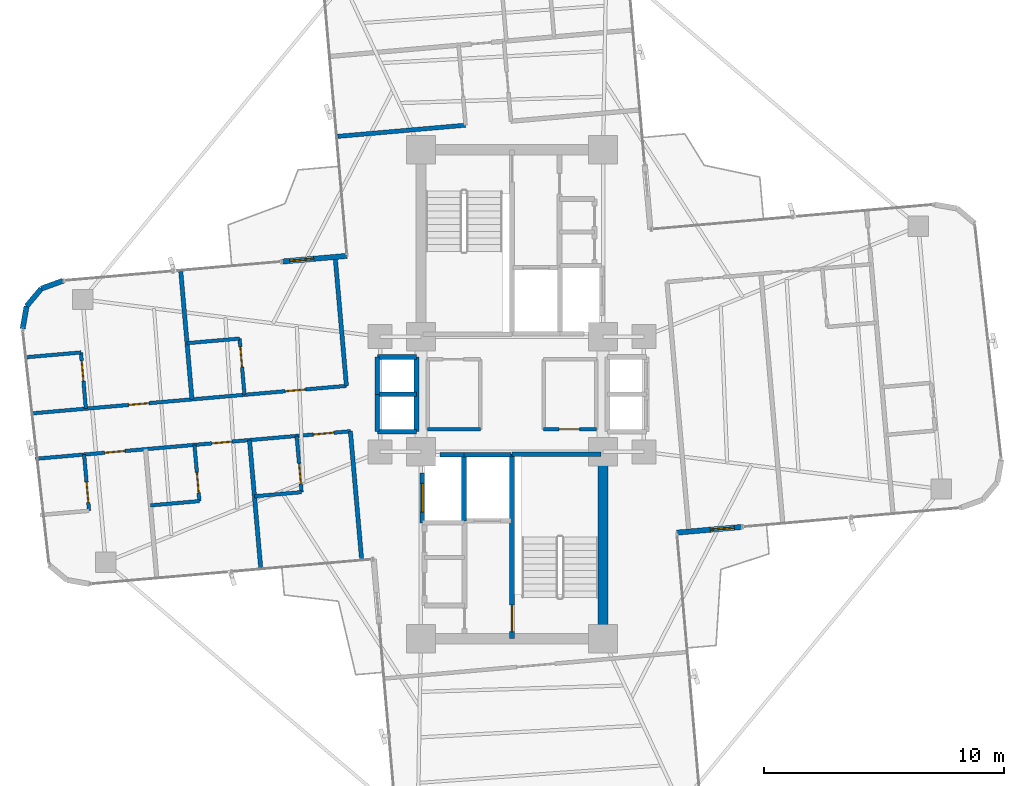
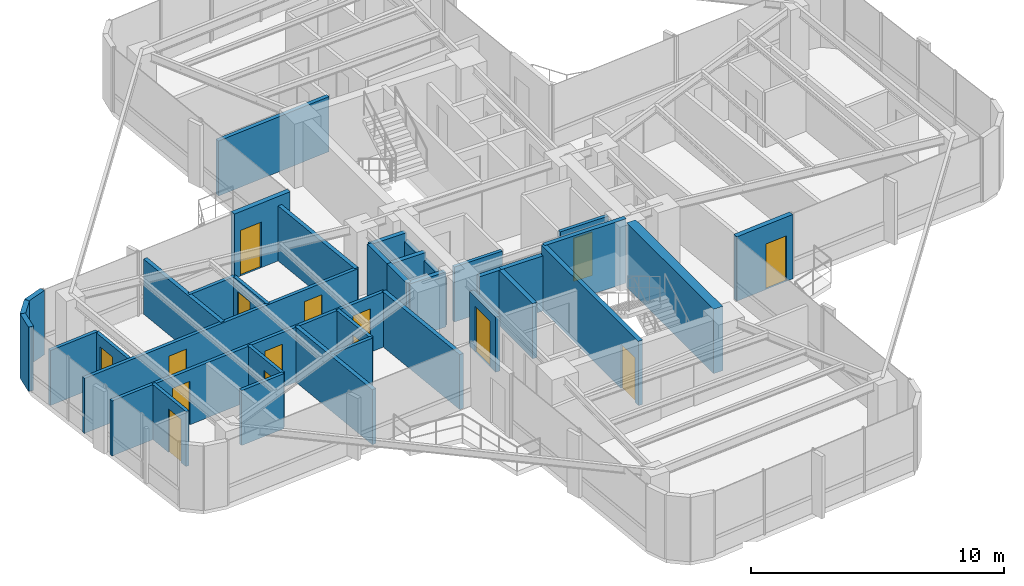
# One storey, part 21 of 24: 36 walls, 15 doors, 15 openings.
"""IFC4 building model written with IfcOpenShell, lengths in metres."""

import ifcopenshell
import ifcopenshell.guid

model = None  # the IFC model being written
_history = None  # IfcOwnerHistory: only IFC2X3 demands one
_inside = {}  # id of a spatial element -> (the spatial element, [elements in it])
_under = {}  # id of a project, library or spatial element -> (it, [spatial elements below it])
_declared = {}  # id of a project -> (the project, [libraries it declares])
_typed = {}  # id of a type object -> (the type object, [elements of that type])
_made_of = {}  # id of a material, layer set ... -> (it, [elements and type objects made of it])


def new_model(schema):
    """Start an empty IFC model of exactly this schema.

    Asked for "IFC4X3", IfcOpenShell would pick the latest addendum, in which some entities
    have other attributes; the version numbers below select the first issue.
    IFC2X3 requires an IfcOwnerHistory on every rooted entity: one is made here for all.
    """
    global model, _history
    if schema == "IFC4X3":
        model = ifcopenshell.file(schema_version=(4, 3, 0, 0))
    else:
        model = ifcopenshell.file(schema=schema)
    _inside.clear()
    _under.clear()
    _declared.clear()
    _typed.clear()
    _made_of.clear()
    _history = None
    if model.schema == "IFC2X3":
        org = make("IfcOrganization", Name="unknown")
        user = make(
            "IfcPersonAndOrganization",
            ThePerson=make("IfcPerson", FamilyName="unknown"),
            TheOrganization=org,
        )
        app = make(
            "IfcApplication",
            ApplicationDeveloper=org,
            Version="unknown",
            ApplicationFullName="unknown",
            ApplicationIdentifier="unknown",
        )
        _history = make(
            "IfcOwnerHistory",
            OwningUser=user,
            OwningApplication=app,
            ChangeAction="ADDED",
            CreationDate=0,
        )
    return model


def make(cls, **values):
    """One entity of the class cls with the attributes given. An attribute that is None is left unset."""
    return model.create_entity(
        cls, **{name: value for name, value in values.items() if value is not None}
    )


def rooted(cls, **values):
    """An entity with a GlobalId (a new one), such as an element, a storey or a relation."""
    return make(cls, GlobalId=ifcopenshell.guid.new(), OwnerHistory=_history, **values)


def si_unit(unit_type, name, prefix=None):
    """IfcSIUnit, for example si_unit("LENGTHUNIT", "METRE", prefix="MILLI")."""
    return make("IfcSIUnit", UnitType=unit_type, Prefix=prefix, Name=name)


def assignment(units):
    """IfcUnitAssignment: the units of a project."""
    return None if units is None else make("IfcUnitAssignment", Units=units)


def point(xyz):
    """IfcCartesianPoint."""
    return None if xyz is None else make("IfcCartesianPoint", Coordinates=xyz)


def direction(xyz):
    """IfcDirection."""
    return None if xyz is None else make("IfcDirection", DirectionRatios=xyz)


def frame(location, z_axis=None, x_axis=None):
    """IfcAxis2Placement3D, a coordinate frame: its origin and axes. An axis left out is left unset."""
    return make(
        "IfcAxis2Placement3D",
        Location=point(location),
        Axis=direction(z_axis),
        RefDirection=direction(x_axis),
    )


def frame_2d(location, x_axis=None):
    """IfcAxis2Placement2D, a coordinate frame in the plane: its origin and x axis."""
    return make(
        "IfcAxis2Placement2D", Location=point(location), RefDirection=direction(x_axis)
    )


def origin():
    """The frame at (0, 0, 0) with its axes left unset."""
    return frame((0.0, 0.0, 0.0))


def origin_2d():
    """The frame at (0, 0) in the plane with its x axis left unset."""
    return frame_2d((0.0, 0.0))


def place(relative_to, where):
    """IfcLocalPlacement: puts the frame where relative to a parent placement (None: the world)."""
    return make(
        "IfcLocalPlacement", PlacementRelTo=relative_to, RelativePlacement=where
    )


def context(
    kind, dimensions, precision=None, world=None, true_north=None, identifier=None
):
    """IfcGeometricRepresentationContext, for example the 3D "Model" context."""
    return make(
        "IfcGeometricRepresentationContext",
        ContextIdentifier=identifier,
        ContextType=kind,
        CoordinateSpaceDimension=dimensions,
        Precision=precision,
        WorldCoordinateSystem=world,
        TrueNorth=true_north,
    )


def subcontext(parent, identifier, kind, view, scale=None):
    """IfcGeometricRepresentationSubContext, for example "Body" below "Model"."""
    return make(
        "IfcGeometricRepresentationSubContext",
        ContextIdentifier=identifier,
        ContextType=kind,
        ParentContext=parent,
        TargetScale=scale,
        TargetView=view,
    )


def project(units=None, contexts=None):
    """IfcProject with its units and contexts."""
    return rooted(
        "IfcProject",
        Name="project",
        RepresentationContexts=contexts,
        UnitsInContext=assignment(units),
    )


def spatial(cls, under=None, at=None, **own):
    """A site, building, storey or space (cls), placed at a placement, below another one or the project."""
    s = rooted(cls, ObjectPlacement=at, **own)
    if under is not None:
        _under.setdefault(under.id(), (under, []))[1].append(s)
    return s


def profile(cls, at=None, kind="AREA", **sizes):
    """A parametric profile (cls). Its sizes go by their IFC names, for example OverallWidth=200.0."""
    return make(cls, ProfileType=kind, Position=at, **sizes)


def rectangle(**sizes):
    """IfcRectangleProfileDef."""
    return profile("IfcRectangleProfileDef", **sizes)


def extrude(swept, where, along, depth):
    """IfcExtrudedAreaSolid: the profile swept, set in the frame where, extruded along a direction by depth."""
    return make(
        "IfcExtrudedAreaSolid",
        SweptArea=swept,
        Position=where,
        ExtrudedDirection=direction(along),
        Depth=depth,
    )


def shape(context_of_items, identifier, shape_type, items):
    """IfcShapeRepresentation: the items that make up one representation, for example the "Body"."""
    return make(
        "IfcShapeRepresentation",
        ContextOfItems=context_of_items,
        RepresentationIdentifier=identifier,
        RepresentationType=shape_type,
        Items=items,
    )


def source(mapping_origin, context_of_items, identifier, shape_type, items):
    """IfcRepresentationMap: a shape defined once, which mapped items show again and again."""
    return make(
        "IfcRepresentationMap",
        MappingOrigin=mapping_origin,
        MappedRepresentation=shape(context_of_items, identifier, shape_type, items),
    )


def transform(
    local_origin,
    x_axis=None,
    y_axis=None,
    z_axis=None,
    scale=None,
    scale2=None,
    scale3=None,
    uniform=True,
):
    """IfcCartesianTransformationOperator3D, or its non-uniform kind. x_axis, y_axis, z_axis: its Axis1, 2, 3."""
    if uniform:
        return make(
            "IfcCartesianTransformationOperator3D",
            Axis1=direction(x_axis),
            Axis2=direction(y_axis),
            LocalOrigin=point(local_origin),
            Scale=scale,
            Axis3=direction(z_axis),
        )
    return make(
        "IfcCartesianTransformationOperator3DnonUniform",
        Axis1=direction(x_axis),
        Axis2=direction(y_axis),
        LocalOrigin=point(local_origin),
        Scale=scale,
        Axis3=direction(z_axis),
        Scale2=scale2,
        Scale3=scale3,
    )


def mapped(mapping_source, mapping_target):
    """IfcMappedItem: shows the shape of a source again, moved by a transform."""
    return make(
        "IfcMappedItem", MappingSource=mapping_source, MappingTarget=mapping_target
    )


def material(Name=None, Category=None):
    """IfcMaterial."""
    return make("IfcMaterial", Name=Name, Category=Category)


def layer(
    of_material, thickness, ventilated=None, Name=None, Category=None, Priority=None
):
    """IfcMaterialLayer: one layer of a wall or slab, of a material (None: an air gap)."""
    return make(
        "IfcMaterialLayer",
        Material=of_material,
        LayerThickness=thickness,
        IsVentilated=ventilated,
        Name=Name,
        Category=Category,
        Priority=Priority,
    )


def layer_set(layers, Name=None):
    """IfcMaterialLayerSet."""
    return make("IfcMaterialLayerSet", MaterialLayers=layers, LayerSetName=Name)


def made_of(thing, what):
    """Note that an element or type object is made of a material, layer set ...; save() writes the relation."""
    if what is not None:
        _made_of.setdefault(what.id(), (what, []))[1].append(thing)
    return thing


def type_object(cls, material=None, **own):
    """A type object (cls), such as IfcWallType, which elements share."""
    return made_of(rooted(cls, **own), material)


def element(
    cls,
    number,
    at=None,
    inside=None,
    cuts=None,
    type_object=None,
    material=None,
    context=None,
    identifier="Body",
    shape_type=None,
    held_by="IfcProductDefinitionShape",
    body=None,
    shapes=None,
    **own,
):
    """One element of the class cls, such as IfcWall. Its Tag is "e" and its number.

    at: its placement. inside: the storey or other place that contains it. cuts: it is an
    opening in that element (IfcRelVoidsElement). A single representation is given by context,
    identifier, shape_type and body (its items); several are given by shapes. held_by: the class
    of the entity that holds the representations. save() writes the other relations.
    """
    e = rooted(cls, Tag="e%d" % number, ObjectPlacement=at, **own)
    if body is not None:
        shapes = [shape(context, identifier, shape_type, body)]
    if shapes is not None:
        e.Representation = make(held_by, Representations=shapes)
    if inside is not None:
        _inside.setdefault(inside.id(), (inside, []))[1].append(e)
    if cuts is not None:
        rooted(
            "IfcRelVoidsElement", RelatingBuildingElement=cuts, RelatedOpeningElement=e
        )
    if type_object is not None:
        _typed.setdefault(type_object.id(), (type_object, []))[1].append(e)
    return made_of(e, material)


def fill(opening, filler):
    """IfcRelFillsElement: the door or window that sits in an opening."""
    return rooted(
        "IfcRelFillsElement",
        RelatingOpeningElement=opening,
        RelatedBuildingElement=filler,
    )


def aggregate(whole, parts):
    """IfcRelAggregates: a whole, such as a stair, and the parts it consists of."""
    return rooted("IfcRelAggregates", RelatingObject=whole, RelatedObjects=parts)


def save(model, path):
    """Write the relations noted so far, then the file.

    IfcRelAggregates (storeys below a building ...), IfcRelContainedInSpatialStructure (elements
    in a storey), IfcRelDefinesByType, IfcRelAssociatesMaterial and IfcRelDeclares: one each for
    every whole, place, type object, material and project.
    """
    for whole, parts in _under.values():
        aggregate(whole, parts)
    for where, things in _inside.values():
        rooted(
            "IfcRelContainedInSpatialStructure",
            RelatedElements=things,
            RelatingStructure=where,
        )
    for kind, things in _typed.values():
        rooted("IfcRelDefinesByType", RelatedObjects=things, RelatingType=kind)
    for what, things in _made_of.values():
        rooted("IfcRelAssociatesMaterial", RelatedObjects=things, RelatingMaterial=what)
    for by, libraries in _declared.values():
        rooted("IfcRelDeclares", RelatingContext=by, RelatedDefinitions=libraries)
    model.write(path)


model = new_model("IFC4")

# Units and contexts
model_context = context("Model", 3, precision=1e-05, world=origin(), true_north=direction((0.0, 1.0)))
body_context = subcontext(model_context, "Body", "Model", "MODEL_VIEW")
ifc_project = project(units=[si_unit("LENGTHUNIT", "METRE"), si_unit("AREAUNIT", "SQUARE_METRE"), si_unit("VOLUMEUNIT", "CUBIC_METRE"), si_unit("PLANEANGLEUNIT", "RADIAN"), si_unit("MASSUNIT", "GRAM", prefix="KILO")], contexts=[model_context])

# Site, building, storey
site_placement = place(None, origin())
site = spatial("IfcSite", under=ifc_project, at=site_placement, CompositionType="ELEMENT")
building_placement = place(site_placement, origin())
building = spatial("IfcBuilding", under=site, at=building_placement, Name="Sahyath Konkavel Grand Hotel", CompositionType="ELEMENT")
storey_placement = place(building_placement, frame((0.0, 0.0, 178.550048828125)))
storey = spatial("IfcBuildingStorey", under=building, at=storey_placement, Name="L49", CompositionType="ELEMENT", Elevation=178.550048828125)

# Wall
ifc_material_1 = material(Name="Concrete C50/60", Category="concrete")
ifc_layer_1 = layer(ifc_material_1, 0.419921875)
ifc_layer_set_1 = layer_set([ifc_layer_1], Name="Concrete C50/60")
wall_type_1 = type_object("IfcWallType", Name="CWALL-420", PredefinedType="SHEAR", material=ifc_layer_set_1)
wall_1_placement = place(storey_placement, frame((3.800048828125, -9.75, 0.0), z_axis=(0.0, 0.0, 1.0), x_axis=(0.0, 1.0, 0.0)))
element("IfcWall", 1, at=wall_1_placement, inside=storey, type_object=wall_type_1, Name="L49 South Core Shear Wall E", PredefinedType="SHEAR", context=body_context, shape_type="SweptSolid", body=[
    extrude(rectangle(XDim=6.89990234375, YDim=0.419921875, at=frame_2d((3.449951171875, 0.0))), origin(), (0.0, 0.0, 1.0), 3.10986328125),
])

# Wall, opening, door
ifc_material_2 = material(Name="Warm Buff Sandstone Insulated Concrete C40/50", Category="masonry")
ifc_layer_2 = layer(ifc_material_2, 0.219970703125)
ifc_layer_set_2 = layer_set([ifc_layer_2], Name="Warm Buff Sandstone Insulated Concrete C40/50")
wall_type_2 = type_object("IfcWallType", Name="WLL-BALC-THRESH", PredefinedType="STANDARD", material=ifc_layer_set_2)
wall_2_placement = place(storey_placement, frame((6.87939453125, -5.7724609375, 0.0), z_axis=(0.0, 0.0, 1.0), x_axis=(0.996193619346, 0.087168071984, 0.0)))
wall_2 = element("IfcWall", 2, at=wall_2_placement, inside=storey, type_object=wall_type_2, Name="L49 Winter-Garden Threshold Wall 0", PredefinedType="STANDARD", context=body_context, shape_type="SweptSolid", body=[
    extrude(rectangle(XDim=2.699951171875, YDim=0.219970703125, at=frame_2d((1.35009765625, 0.0))), origin(), (0.0, 0.0, 1.0), 3.10986328125),
])
opening_1_placement = place(wall_2_placement, frame((1.39990234375, 0.0, 0.0)))
opening_1 = element("IfcOpeningElement", 3, at=opening_1_placement, cuts=wall_2, Name="Opening D-TR1", PredefinedType="OPENING", context=body_context, shape_type="SweptSolid", body=[
    extrude(rectangle(XDim=1.0, YDim=2.199951171875, at=frame_2d((0.5, 1.10009765625))), frame((0.0, 0.1201171875, 0.0), z_axis=(0.0, -1.0, 0.0), x_axis=(1.0, 0.0, 0.0)), (0.0, 0.0, 1.0), 0.239990234375),
])
ifc_material_3 = material(Name="Anodised Bronze Aluminium & Low-E Glazing", Category="aluminium")
door_type_1 = type_object("IfcDoorType", Name="DR-TERRACE-1000", OperationType="NOTDEFINED", PredefinedType="DOOR", material=ifc_material_3)
shared_shape_1 = source(origin(), body_context, "Body", "SweptSolid", [
    extrude(rectangle(XDim=1.0, YDim=0.050048828125, at=origin_2d()), origin(), (0.0, 0.0, 1.0), 2.199951171875),
])
door_1_placement = place(opening_1_placement, frame((0.5, 0.0, 0.0)))
door_1 = element("IfcDoor", 4, at=door_1_placement, inside=storey, type_object=door_type_1, Name="L49 Winter-Garden Terrace Door 0", OperationType="SINGLE_SWING_LEFT", OverallHeight=2.199951171875, OverallWidth=1.0, PredefinedType="DOOR", context=body_context, shape_type="MappedRepresentation", body=[
    mapped(shared_shape_1, transform((0.0, 0.0, 0.0), scale=1.0)),
])
fill(opening_1, door_1)

wall_3_placement = place(storey_placement, frame((-6.87939453125, 5.7724609375, 0.0), z_axis=(0.0, 0.0, 1.0), x_axis=(-0.996193619346, -0.087168071984, 0.0)))
wall_3 = element("IfcWall", 5, at=wall_3_placement, inside=storey, type_object=wall_type_2, Name="L49 Winter-Garden Threshold Wall 16", PredefinedType="STANDARD", context=body_context, shape_type="SweptSolid", body=[
    extrude(rectangle(XDim=2.699951171875, YDim=0.219970703125, at=frame_2d((1.35009765625, 0.0))), origin(), (0.0, 0.0, 1.0), 3.10986328125),
])
opening_2_placement = place(wall_3_placement, frame((1.39990234375, 0.0, 0.0)))
opening_2 = element("IfcOpeningElement", 6, at=opening_2_placement, cuts=wall_3, Name="Opening D-TR1", PredefinedType="OPENING", context=body_context, shape_type="SweptSolid", body=[
    extrude(rectangle(XDim=1.0, YDim=2.199951171875, at=frame_2d((0.5, 1.10009765625))), frame((0.0, 0.1201171875, 0.0), z_axis=(0.0, -1.0, 0.0), x_axis=(1.0, 0.0, 0.0)), (0.0, 0.0, 1.0), 0.239990234375),
])
door_2_placement = place(opening_2_placement, frame((0.5, 0.0, 0.0)))
door_2 = element("IfcDoor", 7, at=door_2_placement, inside=storey, type_object=door_type_1, Name="L49 Winter-Garden Terrace Door 16", OperationType="SINGLE_SWING_LEFT", OverallHeight=2.199951171875, OverallWidth=1.0, PredefinedType="DOOR", context=body_context, shape_type="MappedRepresentation", body=[
    mapped(shared_shape_1, transform((0.0, 0.0, 0.0), scale=1.0)),
])
fill(opening_2, door_2)

# Walls
wall_4_placement = place(storey_placement, frame((-18.73388671875, 4.735107421875, 0.0), z_axis=(0.0, 0.0, 1.0), x_axis=(-0.939741306239, -0.34188635151, 0.0)))
element("IfcWall", 8, at=wall_4_placement, inside=storey, type_object=wall_type_2, Name="L49 Rounded Corner Sandstone Pier 17", PredefinedType="STANDARD", context=body_context, shape_type="SweptSolid", body=[
    extrude(rectangle(XDim=0.95751953125, YDim=0.219970703125, at=frame_2d((0.478759765625, 0.0))), origin(), (0.0, 0.0, 1.0), 3.10986328125),
])
for number, where, z_axis, x_axis, name in (
    (9, (-19.6337890625, 4.40771484375, 0.0), (0.0, 0.0, 1.0), (-0.642863236823, -0.765980978054, 0.0), "L49 Rounded Corner Sandstone Pier 18"),
    (10, (-20.24951171875, 3.674072265625, 0.0), (0.0, 0.0, 1.0), (-0.173610811841, -0.984814340885, 0.0), "L49 Rounded Corner Sandstone Pier 19"),
):
    element("IfcWall", number, at=place(storey_placement, frame(where, z_axis=z_axis, x_axis=x_axis)), inside=storey, type_object=wall_type_2, Name=name, PredefinedType="STANDARD", context=body_context, shape_type="SweptSolid", body=[
        extrude(rectangle(XDim=0.957763671875, YDim=0.219970703125, at=frame_2d((0.47900390625, 0.0))), origin(), (0.0, 0.0, 1.0), 3.10986328125),
    ])

# Wall, opening, door
ifc_material_4 = material(Name="Concrete C40/50", Category="concrete")
ifc_layer_3 = layer(ifc_material_4, 0.199951171875)
ifc_layer_set_3 = layer_set([ifc_layer_3], Name="Concrete C40/50")
wall_type_3 = type_object("IfcWallType", Name="WLL-CORE-200", PredefinedType="SOLIDWALL", material=ifc_layer_set_3)
wall_5_placement = place(storey_placement, frame((0.0, -10.179931640625, 0.0), z_axis=(0.0, 0.0, 1.0), x_axis=(0.0, 1.0, 0.0)))
wall_5 = element("IfcWall", 11, at=wall_5_placement, inside=storey, type_object=wall_type_3, Name="L49 Stair ST-2 Shaft Wall W", PredefinedType="SOLIDWALL", context=body_context, shape_type="SweptSolid", body=[
    extrude(rectangle(XDim=7.679931640625, YDim=0.199951171875, at=frame_2d((3.83984375, 0.0))), origin(), (0.0, 0.0, 1.0), 3.10986328125),
])
opening_3_placement = place(wall_5_placement, frame((0.280029296875, 0.0, 0.0)))
opening_3 = element("IfcOpeningElement", 12, at=opening_3_placement, cuts=wall_5, Name="Opening D-F12B", PredefinedType="OPENING", context=body_context, shape_type="SweptSolid", body=[
    extrude(rectangle(XDim=1.10009765625, YDim=2.14990234375, at=frame_2d((0.550048828125, 1.074951171875))), frame((0.0, 0.10986328125, 0.0), z_axis=(0.0, -1.0, 0.0), x_axis=(1.0, 0.0, 0.0)), (0.0, 0.0, 1.0), 0.219970703125),
])
ifc_material_5 = material(Name="Steel E350 Smokeproof Fire Door", Category="steel")
door_type_2 = type_object("IfcDoorType", Name="DR-FD120-1100", OperationType="NOTDEFINED", PredefinedType="DOOR", material=ifc_material_5)
shared_shape_2 = source(origin(), body_context, "Body", "SweptSolid", [
    extrude(rectangle(XDim=1.10009765625, YDim=0.050048828125, at=origin_2d()), origin(), (0.0, 0.0, 1.0), 2.14990234375),
])
door_3_placement = place(opening_3_placement, frame((0.550048828125, 0.0, 0.0)))
door_3 = element("IfcDoor", 13, at=door_3_placement, inside=storey, type_object=door_type_2, Name="L49 Stair ST-2 Fire Door", OperationType="SINGLE_SWING_RIGHT", OverallHeight=2.14990234375, OverallWidth=1.10009765625, PredefinedType="DOOR", context=body_context, shape_type="MappedRepresentation", body=[
    mapped(shared_shape_2, transform((0.0, 0.0, 0.0), scale=1.0)),
])
fill(opening_3, door_3)

# Walls
wall_6_placement = place(storey_placement, frame((0.0, -2.5, 0.0), z_axis=(0.0, 0.0, 1.0), x_axis=(1.0, 0.0, 0.0)))
element("IfcWall", 14, at=wall_6_placement, inside=storey, type_object=wall_type_3, Name="L49 Stair ST-2 Shaft Wall N", PredefinedType="SOLIDWALL", context=body_context, shape_type="SweptSolid", body=[
    extrude(rectangle(XDim=3.719970703125, YDim=0.199951171875, at=frame_2d((1.85986328125, 0.0))), origin(), (0.0, 0.0, 1.0), 3.10986328125),
])
wall_7_placement = place(storey_placement, frame((-2.0, -5.280029296875, 0.0), z_axis=(0.0, 0.0, 1.0), x_axis=(0.0, 1.0, 0.0)))
element("IfcWall", 15, at=wall_7_placement, inside=storey, type_object=wall_type_3, Name="L49 Partition SH-FFL2-W", PredefinedType="SOLIDWALL", context=body_context, shape_type="SweptSolid", body=[
    extrude(rectangle(XDim=2.780029296875, YDim=0.199951171875, at=frame_2d((1.39013671875, 0.0))), origin(), (0.0, 0.0, 1.0), 2.659912109375),
])
wall_8_placement = place(storey_placement, frame((-2.0, -2.52001953125, 0.0), z_axis=(0.0, 0.0, 1.0), x_axis=(1.0, 0.0, 0.0)))
element("IfcWall", 16, at=wall_8_placement, inside=storey, type_object=wall_type_3, Name="L49 Partition SH-FFL2-N", PredefinedType="SOLIDWALL", context=body_context, shape_type="SweptSolid", body=[
    extrude(rectangle(XDim=1.949951171875, YDim=0.199951171875, at=frame_2d((0.97509765625, 0.0))), origin(), (0.0, 0.0, 1.0), 2.659912109375),
])
wall_9_placement = place(storey_placement, frame((-3.0, -2.52001953125, 0.0), z_axis=(0.0, 0.0, 1.0), x_axis=(1.0, 0.0, 0.0)))
element("IfcWall", 17, at=wall_9_placement, inside=storey, type_object=wall_type_3, Name="L49 Partition SH-SVL2-N", PredefinedType="SOLIDWALL", context=body_context, shape_type="SweptSolid", body=[
    extrude(rectangle(XDim=1.0, YDim=0.199951171875, at=frame_2d((0.5, 0.0))), origin(), (0.0, 0.0, 1.0), 2.659912109375),
])

# Wall, opening, door
wall_10_placement = place(storey_placement, frame((-3.739990234375, -5.360107421875, 0.0), z_axis=(0.0, 0.0, 1.0), x_axis=(0.0, 1.0, 0.0)))
wall_10 = element("IfcWall", 18, at=wall_10_placement, inside=storey, type_object=wall_type_3, Name="L49 Partition SH-SVL2-W", PredefinedType="SOLIDWALL", context=body_context, shape_type="SweptSolid", body=[
    extrude(rectangle(XDim=2.080078125, YDim=0.199951171875, at=frame_2d((1.0400390625, 0.0))), origin(), (0.0, 0.0, 1.0), 2.659912109375),
])
opening_4_placement = place(wall_10_placement, frame((0.43994140625, 0.0, 0.0)))
opening_4 = element("IfcOpeningElement", 19, at=opening_4_placement, cuts=wall_10, Name="Opening LD-12", PredefinedType="OPENING", context=body_context, shape_type="SweptSolid", body=[
    extrude(rectangle(XDim=1.199951171875, YDim=2.199951171875, at=frame_2d((0.60009765625, 1.10009765625))), frame((0.0, 0.10986328125, 0.0), z_axis=(0.0, -1.0, 0.0), x_axis=(1.0, 0.0, 0.0)), (0.0, 0.0, 1.0), 0.219970703125),
])
ifc_material_6 = material(Name="Stainless Steel Lift Landing Door 1200", Category="steel")
door_type_3 = type_object("IfcDoorType", Name="DR-LIFT-1200", OperationType="DOUBLE_DOOR_SLIDING", PredefinedType="DOOR", material=ifc_material_6)
shared_shape_3 = source(origin(), body_context, "Body", "SweptSolid", [
    extrude(rectangle(XDim=1.199951171875, YDim=0.050048828125, at=origin_2d()), origin(), (0.0, 0.0, 1.0), 2.199951171875),
])
door_4_placement = place(opening_4_placement, frame((0.60009765625, 0.0, 0.0)))
door_4 = element("IfcDoor", 20, at=door_4_placement, inside=storey, type_object=door_type_3, Name="L49 Service Lift SVL-2 Landing Door", OperationType="DOUBLE_DOOR_SLIDING", OverallHeight=2.199951171875, OverallWidth=1.199951171875, PredefinedType="DOOR", context=body_context, shape_type="MappedRepresentation", body=[
    mapped(shared_shape_3, transform((0.0, 0.0, 0.0), scale=1.0)),
])
fill(opening_4, door_4)

# Walls
wall_11_placement = place(storey_placement, frame((-3.97998046875, -1.56005859375, 0.0), z_axis=(0.0, 0.0, 1.0), x_axis=(0.0, 1.0, 0.0)))
element("IfcWall", 21, at=wall_11_placement, inside=storey, type_object=wall_type_3, Name="L49 Partition SH-SL12-E", PredefinedType="SOLIDWALL", context=body_context, shape_type="SweptSolid", body=[
    extrude(rectangle(XDim=3.1201171875, YDim=0.199951171875, at=frame_2d((1.56005859375, 0.0))), origin(), (0.0, 0.0, 1.0), 2.280029296875),
])
for number, where, z_axis, x_axis, name in (
    (22, (-5.6201171875, 1.56005859375, 0.0), (0.0, 0.0, 1.0), (1.0, 0.0, 0.0), "L49 Partition SH-SL12-N"),
    (23, (-5.6201171875, -1.56005859375, 0.0), (0.0, 0.0, 1.0), (1.0, 0.0, 0.0), "L49 Partition SH-SL12-S"),
    (24, (-5.6201171875, 0.0, 0.0), (0.0, 0.0, 1.0), (1.0, 0.0, 0.0), "L49 Partition SH-SL12-M"),
):
    element("IfcWall", number, at=place(storey_placement, frame(where, z_axis=z_axis, x_axis=x_axis)), inside=storey, type_object=wall_type_3, Name=name, PredefinedType="SOLIDWALL", context=body_context, shape_type="SweptSolid", body=[
        extrude(rectangle(XDim=1.64013671875, YDim=0.199951171875, at=frame_2d((0.820068359375, 0.0))), origin(), (0.0, 0.0, 1.0), 2.659912109375),
    ])
for number, where, z_axis, x_axis, name in (
    (25, (-5.6201171875, 0.0, 0.0), (0.0, 0.0, 1.0), (0.0, 1.0, 0.0), "L49 Partition SH-SL1-W"),
    (26, (-5.6201171875, -1.56005859375, 0.0), (0.0, 0.0, 1.0), (0.0, 1.0, 0.0), "L49 Partition SH-SL2-W"),
):
    element("IfcWall", number, at=place(storey_placement, frame(where, z_axis=z_axis, x_axis=x_axis)), inside=storey, type_object=wall_type_3, Name=name, PredefinedType="SOLIDWALL", context=body_context, shape_type="SweptSolid", body=[
        extrude(rectangle(XDim=1.56005859375, YDim=0.199951171875, at=frame_2d((0.780029296875, 0.0))), origin(), (0.0, 0.0, 1.0), 2.659912109375),
    ])
ifc_material_7 = material(Name="Twin-Stud Acoustic Gypsum Plasterboard Partition")
ifc_layer_4 = layer(ifc_material_7, 0.179931640625)
ifc_layer_set_4 = layer_set([ifc_layer_4], Name="Twin-Stud Acoustic Gypsum Plasterboard Partition")
wall_type_4 = type_object("IfcWallType", Name="WLL-DEMISE-180", PredefinedType="PARTITIONING", material=ifc_layer_set_4)
for number, where, z_axis, x_axis, name in (
    (27, (-1.935546875, 11.22412109375, 0.0), (0.0, 0.0, 1.0), (-0.996194212812, -0.087161289348, 0.0), "L49 Partition N-INL"),
    (28, (-6.7412109375, -1.54345703125, 0.0), (0.0, 0.0, 1.0), (0.087161289348, -0.996194212812, 0.0), "L49 Partition W-INL"),
    (29, (-7.373046875, 5.678955078125, 0.0), (0.0, 0.0, 1.0), (0.087161289348, -0.996194212812, 0.0), "L49 Partition W-INR"),
    (30, (-10.94921875, -1.91162109375, 0.0), (0.0, 0.0, 1.0), (0.087161289348, -0.996194212812, 0.0), "L49 Partition W-W1L-DEM"),
    (31, (-13.35009765625, -0.21435546875, 0.0), (0.0, 0.0, 1.0), (-0.087161289348, 0.996194212812, 0.0), "L49 Partition W-W1R-DEM"),
):
    element("IfcWall", number, at=place(storey_placement, frame(where, z_axis=z_axis, x_axis=x_axis)), inside=storey, type_object=wall_type_4, Name=name, PredefinedType="PARTITIONING", context=body_context, shape_type="SweptSolid", body=[
        extrude(rectangle(XDim=5.349853515625, YDim=0.179931640625, at=frame_2d((2.6748046875, 0.0))), origin(), (0.0, 0.0, 1.0), 2.659912109375),
    ])
ifc_material_8 = material(Name="Fire-Rated Gypsum Plasterboard Partition")
ifc_layer_5 = layer(ifc_material_8, 0.14990234375)
ifc_layer_set_5 = layer_set([ifc_layer_5], Name="Fire-Rated Gypsum Plasterboard Partition")
wall_type_5 = type_object("IfcWallType", Name="WLL-PART-150", PredefinedType="PARTITIONING", material=ifc_layer_set_5)
wall_12_placement = place(storey_placement, frame((-3.52001953125, -1.4599609375, 0.0), z_axis=(0.0, 0.0, 1.0), x_axis=(1.0, 0.0, 0.0)))
element("IfcWall", 32, at=wall_12_placement, inside=storey, type_object=wall_type_5, Name="L49 Partition CC-1WS", PredefinedType="PARTITIONING", context=body_context, shape_type="SweptSolid", body=[
    extrude(rectangle(XDim=2.199951171875, YDim=0.14990234375, at=frame_2d((1.10009765625, 0.0))), origin(), (0.0, 0.0, 1.0), 2.659912109375),
])

# Wall, opening, door
wall_13_placement = place(storey_placement, frame((1.320068359375, -1.4599609375, 0.0), z_axis=(0.0, 0.0, 1.0), x_axis=(1.0, 0.0, 0.0)))
wall_13 = element("IfcWall", 33, at=wall_13_placement, inside=storey, type_object=wall_type_5, Name="L49 Partition CC-1ES", PredefinedType="PARTITIONING", context=body_context, shape_type="SweptSolid", body=[
    extrude(rectangle(XDim=2.199951171875, YDim=0.14990234375, at=frame_2d((1.10009765625, 0.0))), origin(), (0.0, 0.0, 1.0), 2.659912109375),
])
opening_5_placement = place(wall_13_placement, frame((0.64990234375, 0.0, 0.0)))
opening_5 = element("IfcOpeningElement", 34, at=opening_5_placement, cuts=wall_13, Name="Opening D-F06D", PredefinedType="OPENING", context=body_context, shape_type="SweptSolid", body=[
    extrude(rectangle(XDim=0.85009765625, YDim=2.10009765625, at=frame_2d((0.425048828125, 1.050048828125))), frame((0.0, 0.0849609375, 0.0), z_axis=(0.0, -1.0, 0.0), x_axis=(1.0, 0.0, 0.0)), (0.0, 0.0, 1.0), 0.169921875),
])
ifc_material_9 = material(Name="Fire-Rated Shaft Access Door")
door_type_4 = type_object("IfcDoorType", Name="DR-FD60-850", OperationType="NOTDEFINED", PredefinedType="DOOR", material=ifc_material_9)
shared_shape_4 = source(origin(), body_context, "Body", "SweptSolid", [
    extrude(rectangle(XDim=0.85009765625, YDim=0.050048828125, at=origin_2d()), origin(), (0.0, 0.0, 1.0), 2.10009765625),
])
door_5_placement = place(opening_5_placement, frame((0.425048828125, 0.0, 0.0)))
door_5 = element("IfcDoor", 35, at=door_5_placement, inside=storey, type_object=door_type_4, Name="L49 Door CC-D1E", OperationType="SINGLE_SWING_RIGHT", OverallHeight=2.10009765625, OverallWidth=0.85009765625, PredefinedType="DOOR", context=body_context, shape_type="MappedRepresentation", body=[
    mapped(shared_shape_4, transform((0.0, 0.0, 0.0), scale=1.0)),
])
fill(opening_5, door_5)

# Wall, openings, doors
wall_14_placement = place(storey_placement, frame((-6.7412109375, -1.54345703125, 0.0), z_axis=(0.0, 0.0, 1.0), x_axis=(-0.996195062465, -0.087151577845, 0.0)))
wall_14 = element("IfcWall", 36, at=wall_14_placement, inside=storey, type_object=wall_type_5, Name="L49 Partition W-CL", PredefinedType="PARTITIONING", context=body_context, shape_type="SweptSolid", body=[
    extrude(rectangle(XDim=13.199951171875, YDim=0.14990234375, at=frame_2d((6.60009765625, 0.0))), origin(), (0.0, 0.0, 1.0), 2.659912109375),
])
opening_6_placement = place(wall_14_placement, frame((0.699951171875, 0.0, 0.0)))
opening_6 = element("IfcOpeningElement", 37, at=opening_6_placement, cuts=wall_14, Name="Opening D-F06D", PredefinedType="OPENING", context=body_context, shape_type="SweptSolid", body=[
    extrude(rectangle(XDim=0.85009765625, YDim=2.10009765625, at=frame_2d((0.425048828125, 1.050048828125))), frame((0.0, 0.0849609375, 0.0), z_axis=(0.0, -1.0, 0.0), x_axis=(1.0, 0.0, 0.0)), (0.0, 0.0, 1.0), 0.169921875),
])
opening_7_placement = place(wall_14_placement, frame((4.951904296875, 0.0, 0.0)))
opening_7 = element("IfcOpeningElement", 38, at=opening_7_placement, cuts=wall_14, Name="Opening D-F06D", PredefinedType="OPENING", context=body_context, shape_type="SweptSolid", body=[
    extrude(rectangle(XDim=0.85009765625, YDim=2.10009765625, at=frame_2d((0.425048828125, 1.050048828125))), frame((0.0, 0.0849609375, 0.0), z_axis=(0.0, -1.0, 0.0), x_axis=(1.0, 0.0, 0.0)), (0.0, 0.0, 1.0), 0.169921875),
])
opening_8_placement = place(wall_14_placement, frame((9.43994140625, 0.0, 0.0)))
opening_8 = element("IfcOpeningElement", 39, at=opening_8_placement, cuts=wall_14, Name="Opening D-F06D", PredefinedType="OPENING", context=body_context, shape_type="SweptSolid", body=[
    extrude(rectangle(XDim=0.85009765625, YDim=2.10009765625, at=frame_2d((0.425048828125, 1.050048828125))), frame((0.0, 0.0849609375, 0.0), z_axis=(0.0, -1.0, 0.0), x_axis=(1.0, 0.0, 0.0)), (0.0, 0.0, 1.0), 0.169921875),
])
door_6_placement = place(opening_6_placement, frame((0.425048828125, 0.0, 0.0)))
door_6 = element("IfcDoor", 40, at=door_6_placement, inside=storey, type_object=door_type_4, Name="L49 Door W-W1L-ED", OperationType="SINGLE_SWING_LEFT", OverallHeight=2.10009765625, OverallWidth=0.85009765625, PredefinedType="DOOR", context=body_context, shape_type="MappedRepresentation", body=[
    mapped(shared_shape_4, transform((0.0, 0.0, 0.0), scale=1.0)),
])
fill(opening_6, door_6)
door_7_placement = place(opening_7_placement, frame((0.425048828125, 0.0, 0.0)))
door_7 = element("IfcDoor", 41, at=door_7_placement, inside=storey, type_object=door_type_4, Name="L49 Door W-W2L-ED", OperationType="SINGLE_SWING_LEFT", OverallHeight=2.10009765625, OverallWidth=0.85009765625, PredefinedType="DOOR", context=body_context, shape_type="MappedRepresentation", body=[
    mapped(shared_shape_4, transform((0.0, 0.0, 0.0), scale=1.0)),
])
fill(opening_7, door_7)
door_8_placement = place(opening_8_placement, frame((0.425048828125, 0.0, 0.0)))
door_8 = element("IfcDoor", 42, at=door_8_placement, inside=storey, type_object=door_type_4, Name="L49 Door W-W3L-ED", OperationType="SINGLE_SWING_LEFT", OverallHeight=2.10009765625, OverallWidth=0.85009765625, PredefinedType="DOOR", context=body_context, shape_type="MappedRepresentation", body=[
    mapped(shared_shape_4, transform((0.0, 0.0, 0.0), scale=1.0)),
])
fill(opening_8, door_8)

wall_15_placement = place(storey_placement, frame((-6.90673828125, 0.349365234375, 0.0), z_axis=(0.0, 0.0, 1.0), x_axis=(-0.996195062465, -0.087151577845, 0.0)))
wall_15 = element("IfcWall", 43, at=wall_15_placement, inside=storey, type_object=wall_type_5, Name="L49 Partition W-CR", PredefinedType="PARTITIONING", context=body_context, shape_type="SweptSolid", body=[
    extrude(rectangle(XDim=13.199951171875, YDim=0.14990234375, at=frame_2d((6.60009765625, 0.0))), origin(), (0.0, 0.0, 1.0), 2.659912109375),
])
opening_9_placement = place(wall_15_placement, frame((1.7099609375, 0.0, 0.0)))
opening_9 = element("IfcOpeningElement", 44, at=opening_9_placement, cuts=wall_15, Name="Opening D-F06D", PredefinedType="OPENING", context=body_context, shape_type="SweptSolid", body=[
    extrude(rectangle(XDim=0.85009765625, YDim=2.10009765625, at=frame_2d((0.425048828125, 1.050048828125))), frame((0.0, 0.0849609375, 0.0), z_axis=(0.0, -1.0, 0.0), x_axis=(1.0, 0.0, 0.0)), (0.0, 0.0, 1.0), 0.169921875),
])
opening_10_placement = place(wall_15_placement, frame((8.263916015625, 0.0, 0.0)))
opening_10 = element("IfcOpeningElement", 45, at=opening_10_placement, cuts=wall_15, Name="Opening D-F06D", PredefinedType="OPENING", context=body_context, shape_type="SweptSolid", body=[
    extrude(rectangle(XDim=0.85009765625, YDim=2.10009765625, at=frame_2d((0.425048828125, 1.050048828125))), frame((0.0, 0.0849609375, 0.0), z_axis=(0.0, -1.0, 0.0), x_axis=(1.0, 0.0, 0.0)), (0.0, 0.0, 1.0), 0.169921875),
])
door_9_placement = place(opening_9_placement, frame((0.425048828125, 0.0, 0.0)))
door_9 = element("IfcDoor", 46, at=door_9_placement, inside=storey, type_object=door_type_4, Name="L49 Door W-W1R-ED", OperationType="SINGLE_SWING_LEFT", OverallHeight=2.10009765625, OverallWidth=0.85009765625, PredefinedType="DOOR", context=body_context, shape_type="MappedRepresentation", body=[
    mapped(shared_shape_4, transform((0.0, 0.0, 0.0), scale=1.0)),
])
fill(opening_9, door_9)
door_10_placement = place(opening_10_placement, frame((0.425048828125, 0.0, 0.0)))
door_10 = element("IfcDoor", 47, at=door_10_placement, inside=storey, type_object=door_type_4, Name="L49 Door W-W2R-ED", OperationType="SINGLE_SWING_LEFT", OverallHeight=2.10009765625, OverallWidth=0.85009765625, PredefinedType="DOOR", context=body_context, shape_type="MappedRepresentation", body=[
    mapped(shared_shape_4, transform((0.0, 0.0, 0.0), scale=1.0)),
])
fill(opening_10, door_10)

# Wall, opening, door
wall_16_placement = place(storey_placement, frame((-8.982666015625, -1.739501953125, 0.0), z_axis=(0.0, 0.0, 1.0), x_axis=(0.087224846905, -0.996188649846, 0.0)))
wall_16 = element("IfcWall", 48, at=wall_16_placement, inside=storey, type_object=wall_type_5, Name="L49 Partition W-W1L-BS", PredefinedType="PARTITIONING", context=body_context, shape_type="SweptSolid", body=[
    extrude(rectangle(XDim=2.35400390625, YDim=0.14990234375, at=frame_2d((1.177001953125, 0.0))), origin(), (0.0, 0.0, 1.0), 2.659912109375),
])
opening_11_placement = place(wall_16_placement, frame((1.154052734375, 0.0, 0.0)))
opening_11 = element("IfcOpeningElement", 49, at=opening_11_placement, cuts=wall_16, Name="Opening D-BT85", PredefinedType="OPENING", context=body_context, shape_type="SweptSolid", body=[
    extrude(rectangle(XDim=0.85009765625, YDim=2.10009765625, at=frame_2d((0.425048828125, 1.050048828125))), frame((0.0, 0.0849609375, 0.0), z_axis=(0.0, -1.0, 0.0), x_axis=(1.0, 0.0, 0.0)), (0.0, 0.0, 1.0), 0.169921875),
])
ifc_material_10 = material(Name="Moisture-Resistant Teak Bathroom Door")
door_type_5 = type_object("IfcDoorType", Name="DR-BATH-850", OperationType="NOTDEFINED", PredefinedType="DOOR", material=ifc_material_10)
door_11_placement = place(opening_11_placement, frame((0.425048828125, 0.0, 0.0)))
door_11 = element("IfcDoor", 50, at=door_11_placement, inside=storey, type_object=door_type_5, Name="L49 Door W-W1L-BD", OperationType="SINGLE_SWING_RIGHT", OverallHeight=2.10009765625, OverallWidth=0.85009765625, PredefinedType="DOOR", context=body_context, shape_type="MappedRepresentation", body=[
    mapped(shared_shape_4, transform((0.0, 0.0, 0.0), scale=1.0)),
])
fill(opening_11, door_11)

# Wall
wall_17_placement = place(storey_placement, frame((-8.77734375, -4.08447265625, 0.0), z_axis=(0.0, 0.0, 1.0), x_axis=(-0.996191703625, -0.087189962887, 0.0)))
element("IfcWall", 51, at=wall_17_placement, inside=storey, type_object=wall_type_5, Name="L49 Partition W-W1L-BF", PredefinedType="PARTITIONING", context=body_context, shape_type="SweptSolid", body=[
    extrude(rectangle(XDim=1.97412109375, YDim=0.14990234375, at=frame_2d((0.987060546875, 0.0))), origin(), (0.0, 0.0, 1.0), 2.659912109375),
])

# Wall, opening, door
wall_18_placement = place(storey_placement, frame((-13.246337890625, -2.112548828125, 0.0), z_axis=(0.0, 0.0, 1.0), x_axis=(0.087224846905, -0.996188649846, 0.0)))
wall_18 = element("IfcWall", 52, at=wall_18_placement, inside=storey, type_object=wall_type_5, Name="L49 Partition W-W2L-BS", PredefinedType="PARTITIONING", context=body_context, shape_type="SweptSolid", body=[
    extrude(rectangle(XDim=2.35400390625, YDim=0.14990234375, at=frame_2d((1.177001953125, 0.0))), origin(), (0.0, 0.0, 1.0), 2.659912109375),
])
opening_12_placement = place(wall_18_placement, frame((1.154052734375, 0.0, 0.0)))
opening_12 = element("IfcOpeningElement", 53, at=opening_12_placement, cuts=wall_18, Name="Opening D-BT85", PredefinedType="OPENING", context=body_context, shape_type="SweptSolid", body=[
    extrude(rectangle(XDim=0.85009765625, YDim=2.10009765625, at=frame_2d((0.425048828125, 1.050048828125))), frame((0.0, 0.0849609375, 0.0), z_axis=(0.0, -1.0, 0.0), x_axis=(1.0, 0.0, 0.0)), (0.0, 0.0, 1.0), 0.169921875),
])
door_12_placement = place(opening_12_placement, frame((0.425048828125, 0.0, 0.0)))
door_12 = element("IfcDoor", 54, at=door_12_placement, inside=storey, type_object=door_type_5, Name="L49 Door W-W2L-BD", OperationType="SINGLE_SWING_RIGHT", OverallHeight=2.10009765625, OverallWidth=0.85009765625, PredefinedType="DOOR", context=body_context, shape_type="MappedRepresentation", body=[
    mapped(shared_shape_4, transform((0.0, 0.0, 0.0), scale=1.0)),
])
fill(opening_12, door_12)

# Wall
wall_19_placement = place(storey_placement, frame((-13.041015625, -4.45751953125, 0.0), z_axis=(0.0, 0.0, 1.0), x_axis=(-0.99619307114, -0.087174336889, 0.0)))
element("IfcWall", 55, at=wall_19_placement, inside=storey, type_object=wall_type_5, Name="L49 Partition W-W2L-BF", PredefinedType="PARTITIONING", context=body_context, shape_type="SweptSolid", body=[
    extrude(rectangle(XDim=2.050048828125, YDim=0.14990234375, at=frame_2d((1.02490234375, 0.0))), origin(), (0.0, 0.0, 1.0), 2.659912109375),
])

# Wall, opening, door
wall_20_placement = place(storey_placement, frame((-17.8486328125, -2.51513671875, 0.0), z_axis=(0.0, 0.0, 1.0), x_axis=(0.087121918963, -0.996197656711, 0.0)))
wall_20 = element("IfcWall", 56, at=wall_20_placement, inside=storey, type_object=wall_type_5, Name="L49 Partition W-W3L-BS", PredefinedType="PARTITIONING", context=body_context, shape_type="SweptSolid", body=[
    extrude(rectangle(XDim=2.35400390625, YDim=0.14990234375, at=frame_2d((1.177001953125, 0.0))), origin(), (0.0, 0.0, 1.0), 2.659912109375),
])
opening_13_placement = place(wall_20_placement, frame((1.154052734375, 0.0, 0.0)))
opening_13 = element("IfcOpeningElement", 57, at=opening_13_placement, cuts=wall_20, Name="Opening D-BT85", PredefinedType="OPENING", context=body_context, shape_type="SweptSolid", body=[
    extrude(rectangle(XDim=0.85009765625, YDim=2.10009765625, at=frame_2d((0.425048828125, 1.050048828125))), frame((0.0, 0.0849609375, 0.0), z_axis=(0.0, -1.0, 0.0), x_axis=(1.0, 0.0, 0.0)), (0.0, 0.0, 1.0), 0.169921875),
])
door_13_placement = place(opening_13_placement, frame((0.425048828125, 0.0, 0.0)))
door_13 = element("IfcDoor", 58, at=door_13_placement, inside=storey, type_object=door_type_5, Name="L49 Door W-W3L-BD", OperationType="SINGLE_SWING_RIGHT", OverallHeight=2.10009765625, OverallWidth=0.85009765625, PredefinedType="DOOR", context=body_context, shape_type="MappedRepresentation", body=[
    mapped(shared_shape_4, transform((0.0, 0.0, 0.0), scale=1.0)),
])
fill(opening_13, door_13)

wall_21_placement = place(storey_placement, frame((-11.159423828125, -0.022705078125, 0.0), z_axis=(0.0, 0.0, 1.0), x_axis=(-0.087224846905, 0.996188649846, 0.0)))
wall_21 = element("IfcWall", 59, at=wall_21_placement, inside=storey, type_object=wall_type_5, Name="L49 Partition W-W1R-BS", PredefinedType="PARTITIONING", context=body_context, shape_type="SweptSolid", body=[
    extrude(rectangle(XDim=2.35400390625, YDim=0.14990234375, at=frame_2d((1.177001953125, 0.0))), origin(), (0.0, 0.0, 1.0), 2.659912109375),
])
opening_14_placement = place(wall_21_placement, frame((1.154052734375, 0.0, 0.0)))
opening_14 = element("IfcOpeningElement", 60, at=opening_14_placement, cuts=wall_21, Name="Opening D-BT85", PredefinedType="OPENING", context=body_context, shape_type="SweptSolid", body=[
    extrude(rectangle(XDim=0.85009765625, YDim=2.10009765625, at=frame_2d((0.425048828125, 1.050048828125))), frame((0.0, 0.0849609375, 0.0), z_axis=(0.0, -1.0, 0.0), x_axis=(1.0, 0.0, 0.0)), (0.0, 0.0, 1.0), 0.169921875),
])
door_14_placement = place(opening_14_placement, frame((0.425048828125, 0.0, 0.0)))
door_14 = element("IfcDoor", 61, at=door_14_placement, inside=storey, type_object=door_type_5, Name="L49 Door W-W1R-BD", OperationType="SINGLE_SWING_RIGHT", OverallHeight=2.10009765625, OverallWidth=0.85009765625, PredefinedType="DOOR", context=body_context, shape_type="MappedRepresentation", body=[
    mapped(shared_shape_4, transform((0.0, 0.0, 0.0), scale=1.0)),
])
fill(opening_14, door_14)

# Wall
wall_22_placement = place(storey_placement, frame((-11.36474609375, 2.322265625, 0.0), z_axis=(0.0, 0.0, 1.0), x_axis=(-0.996195042958, -0.087151800816, 0.0)))
element("IfcWall", 62, at=wall_22_placement, inside=storey, type_object=wall_type_5, Name="L49 Partition W-W1R-BF", PredefinedType="PARTITIONING", context=body_context, shape_type="SweptSolid", body=[
    extrude(rectangle(XDim=2.198974609375, YDim=0.14990234375, at=frame_2d((1.099609375, 0.0))), origin(), (0.0, 0.0, 1.0), 2.659912109375),
])

# Wall, opening, door
wall_23_placement = place(storey_placement, frame((-17.776123046875, -0.6015625, 0.0), z_axis=(0.0, 0.0, 1.0), x_axis=(-0.087224846905, 0.996188649846, 0.0)))
wall_23 = element("IfcWall", 63, at=wall_23_placement, inside=storey, type_object=wall_type_5, Name="L49 Partition W-W2R-BS", PredefinedType="PARTITIONING", context=body_context, shape_type="SweptSolid", body=[
    extrude(rectangle(XDim=2.35400390625, YDim=0.14990234375, at=frame_2d((1.177001953125, 0.0))), origin(), (0.0, 0.0, 1.0), 2.6298828125),
])
opening_15_placement = place(wall_23_placement, frame((1.154052734375, 0.0, 0.0)))
opening_15 = element("IfcOpeningElement", 64, at=opening_15_placement, cuts=wall_23, Name="Opening D-BT85", PredefinedType="OPENING", context=body_context, shape_type="SweptSolid", body=[
    extrude(rectangle(XDim=0.85009765625, YDim=2.10009765625, at=frame_2d((0.425048828125, 1.050048828125))), frame((0.0, 0.0849609375, 0.0), z_axis=(0.0, -1.0, 0.0), x_axis=(1.0, 0.0, 0.0)), (0.0, 0.0, 1.0), 0.169921875),
])
door_15_placement = place(opening_15_placement, frame((0.425048828125, 0.0, 0.0)))
door_15 = element("IfcDoor", 65, at=door_15_placement, inside=storey, type_object=door_type_5, Name="L49 Door W-W2R-BD", OperationType="SINGLE_SWING_RIGHT", OverallHeight=2.10009765625, OverallWidth=0.85009765625, PredefinedType="DOOR", context=body_context, shape_type="MappedRepresentation", body=[
    mapped(shared_shape_4, transform((0.0, 0.0, 0.0), scale=1.0)),
])
fill(opening_15, door_15)

# Wall
wall_24_placement = place(storey_placement, frame((-17.9814453125, 1.743408203125, 0.0), z_axis=(0.0, 0.0, 1.0), x_axis=(-0.996196032585, -0.087140488075, 0.0)))
element("IfcWall", 66, at=wall_24_placement, inside=storey, type_object=wall_type_5, Name="L49 Partition W-W2R-BF", PredefinedType="PARTITIONING", context=body_context, shape_type="SweptSolid", body=[
    extrude(rectangle(XDim=2.2890625, YDim=0.14990234375, at=frame_2d((1.14453125, 0.0))), origin(), (0.0, 0.0, 1.0), 2.659912109375),
])

save(model, "model.ifc")
